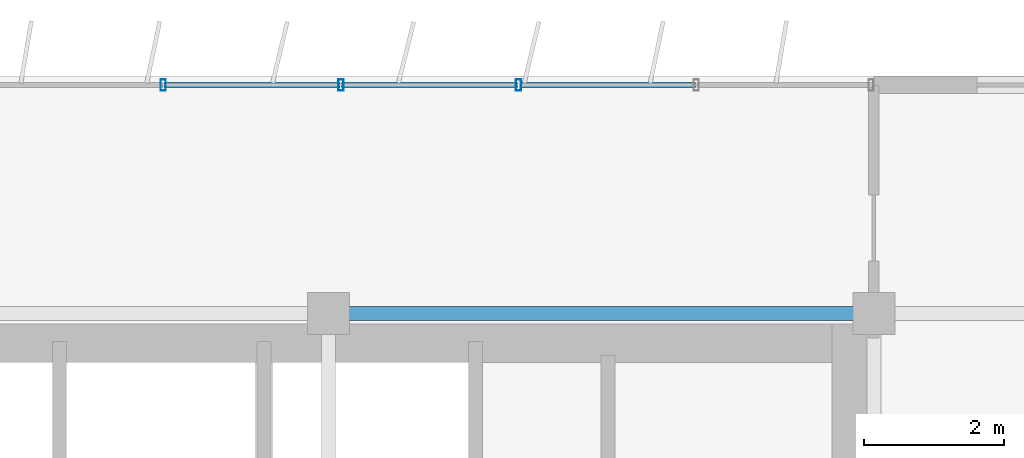
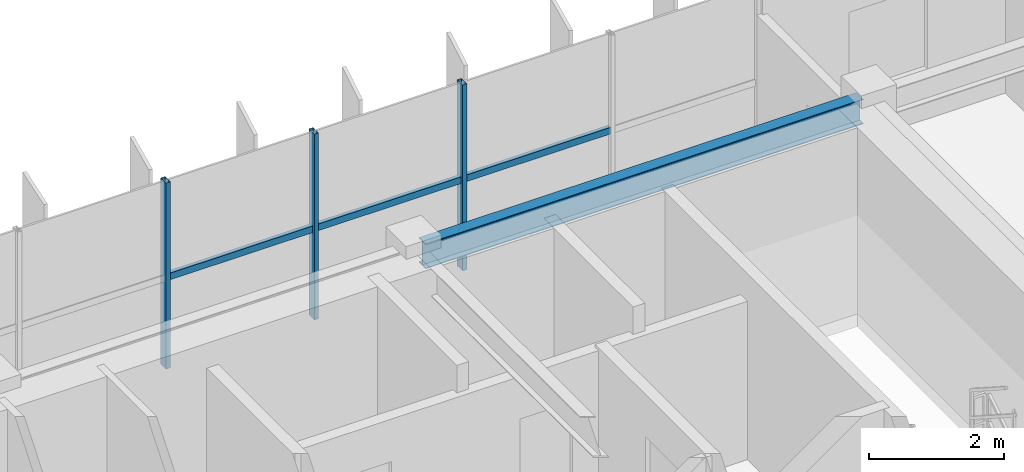
# One storey, part 12 of 22: 6 members, 1 beam, 1 element without a shape of its own.
"""IFC4 building model written with IfcOpenShell, lengths in metres."""

from ifc_helpers import new_model, si_unit, direction, frame, origin, origin_2d, place, context, subcontext, project, spatial, hollow_rectangle, i_section, extrude, source, transform, mapped, material, material_profile, profile_set, type_object, element, aggregate, save


model = new_model("IFC4")

# Units and contexts
model_context = context("Model", 3, precision=1e-05, world=origin(), true_north=direction((0.0, 1.0)))
body_context = subcontext(model_context, "Body", "Model", "MODEL_VIEW")
ifc_project = project(units=[si_unit("LENGTHUNIT", "METRE"), si_unit("AREAUNIT", "SQUARE_METRE"), si_unit("VOLUMEUNIT", "CUBIC_METRE"), si_unit("PLANEANGLEUNIT", "RADIAN"), si_unit("MASSUNIT", "GRAM", prefix="KILO")], contexts=[model_context])

# Site, building, storey
site_placement = place(None, origin())
site = spatial("IfcSite", under=ifc_project, at=site_placement, CompositionType="ELEMENT")
building_placement = place(site_placement, origin())
building = spatial("IfcBuilding", under=site, at=building_placement, Name="Trelvane Seafront Commons", CompositionType="ELEMENT")
storey_placement = place(building_placement, frame((0.0, 0.0, 281.10009765625)))
storey = spatial("IfcBuildingStorey", under=building, at=storey_placement, Name="L73", CompositionType="ELEMENT", Elevation=281.10009765625)

# Beam
ifc_material_1 = material(Name="Steel SM355 (S355)", Category="steel")
ifc_material_profile_1 = material_profile(ifc_material_1, i_section(OverallWidth=0.199951171875, OverallDepth=0.449951171875, WebThickness=0.009033203125, FlangeThickness=0.013916015625, at=origin_2d()), Name="H-450x200x9x14")
ifc_profile_set_1 = profile_set([ifc_material_profile_1], Name="Steel SM355 (S355)")
beam_type = type_object("IfcBeamType", Name="STR-SPD-H450", PredefinedType="SPANDREL", material=ifc_profile_set_1)
shared_shape_1 = source(origin(), body_context, "Body", "SweptSolid", [
    extrude(i_section(OverallWidth=0.199951171875, OverallDepth=0.449951171875, WebThickness=0.009033203125, FlangeThickness=0.013916015625, at=origin_2d()), origin(), (0.0, 0.0, 1.0), 7.5),
])
beam_placement = place(storey_placement, frame((51.14990234375, 45.10009765625, 3.14501953125), z_axis=(1.0, 0.0, 0.0), x_axis=(0.0, 1.0, 0.0)))
element("IfcBeam", 1, at=beam_placement, inside=storey, type_object=beam_type, Name="L73 Primary Girder G-27", PredefinedType="SPANDREL", context=body_context, shape_type="MappedRepresentation", body=[
    mapped(shared_shape_1, transform((0.0, 0.0, 0.0), x_axis=(1.0, 0.0, 0.0), y_axis=(0.0, 1.0, 0.0), z_axis=(0.0, 0.0, 1.0), scale=1.0)),
])

# Curtain wall, members
ifc_material_2 = material(Name="Anodised pale-silver aluminium", Category="aluminium")
curtain_wall_type = type_object("IfcCurtainWallType", Name="ARCH-CW5-UPTOWER", PredefinedType="NOTDEFINED", material=ifc_material_2)
curtain_wall_placement = place(storey_placement, origin())
curtain_wall = element("IfcCurtainWall", 2, at=curtain_wall_placement, inside=storey, type_object=curtain_wall_type, Name="CW-L73-0117", PredefinedType="NOTDEFINED")
ifc_material_profile_2 = material_profile(ifc_material_2, hollow_rectangle(XDim=0.070068359375, YDim=0.1201171875, WallThickness=0.00390625, at=origin_2d()), Name="TRAN-70x120x4")
ifc_profile_set_2 = profile_set([ifc_material_profile_2], Name="Anodised pale-silver aluminium")
member_type_1 = type_object("IfcMemberType", Name="ARCH-CW-TRAN-120", PredefinedType="USERDEFINED", material=ifc_profile_set_2)
shared_shape_2 = source(origin(), body_context, "Body", "SweptSolid", [
    extrude(hollow_rectangle(XDim=0.070068359375, YDim=0.1201171875, WallThickness=0.00390625, at=origin_2d()), origin(), (0.0, 0.0, 1.0), 2.51708984375),
])
member_1_placement = place(storey_placement, frame((51.1884765625, 48.3701171875, 1.617919921875), z_axis=(1.0, 0.0, 0.0), x_axis=(0.0, 1.0, 0.0)))
member_1 = element("IfcMember", 3, at=member_1_placement, type_object=member_type_1, Name="CW-L73-0117-T14", ObjectType="TRANSOM", PredefinedType="USERDEFINED", context=body_context, shape_type="MappedRepresentation", body=[
    mapped(shared_shape_2, transform((0.0, 0.0, 0.0), x_axis=(1.0, 0.0, 0.0), y_axis=(0.0, 1.0, 0.0), z_axis=(0.0, 0.0, 1.0), scale=1.0)),
])
shared_shape_3 = source(origin(), body_context, "Body", "SweptSolid", [
    extrude(hollow_rectangle(XDim=0.070068359375, YDim=0.1201171875, WallThickness=0.00390625, at=origin_2d()), origin(), (0.0, 0.0, 1.0), 2.517333984375),
])
member_2_placement = place(storey_placement, frame((48.647216796875, 48.3701171875, 1.617919921875), z_axis=(1.0, 0.0, 0.0), x_axis=(0.0, 1.0, 0.0)))
member_2 = element("IfcMember", 4, at=member_2_placement, type_object=member_type_1, Name="CW-L73-0117-T13", ObjectType="TRANSOM", PredefinedType="USERDEFINED", context=body_context, shape_type="MappedRepresentation", body=[
    mapped(shared_shape_3, transform((0.0, 0.0, 0.0), x_axis=(1.0, 0.0, 0.0), y_axis=(0.0, 1.0, 0.0), z_axis=(0.0, 0.0, 1.0), scale=1.0)),
])
member_3_placement = place(storey_placement, frame((53.7294921875, 48.3701171875, 1.617919921875), z_axis=(1.0, 0.0, 0.0), x_axis=(0.0, 1.0, 0.0)))
member_3 = element("IfcMember", 5, at=member_3_placement, type_object=member_type_1, Name="CW-L73-0117-T15", ObjectType="TRANSOM", PredefinedType="USERDEFINED", context=body_context, shape_type="MappedRepresentation", body=[
    mapped(shared_shape_3, transform((0.0, 0.0, 0.0), x_axis=(1.0, 0.0, 0.0), y_axis=(0.0, 1.0, 0.0), z_axis=(0.0, 0.0, 1.0), scale=1.0)),
])
ifc_material_profile_3 = material_profile(ifc_material_2, hollow_rectangle(XDim=0.074951171875, YDim=0.159912109375, WallThickness=0.00390625, at=origin_2d()), Name="MULL-75x160x4")
ifc_profile_set_3 = profile_set([ifc_material_profile_3], Name="Anodised pale-silver aluminium")
member_type_2 = type_object("IfcMemberType", Name="ARCH-CW-MULL-160", PredefinedType="MULLION", material=ifc_profile_set_3)
shared_shape_4 = source(origin(), body_context, "Body", "SweptSolid", [
    extrude(hollow_rectangle(XDim=0.074951171875, YDim=0.159912109375, WallThickness=0.00390625, at=origin_2d()), origin(), (0.0, 0.0, 1.0), 3.369873046875),
])
member_4_placement = place(storey_placement, frame((48.63525390625, 48.3701171875, 0.0), z_axis=(0.0, 0.0, 1.0), x_axis=(1.0, 0.0, 0.0)))
member_4 = element("IfcMember", 6, at=member_4_placement, type_object=member_type_2, Name="CW-L73-0117-M13", PredefinedType="MULLION", context=body_context, shape_type="MappedRepresentation", body=[
    mapped(shared_shape_4, transform((0.0, 0.0, 0.0), x_axis=(1.0, 0.0, 0.0), y_axis=(0.0, 1.0, 0.0), z_axis=(0.0, 0.0, 1.0), scale=1.0)),
])
member_5_placement = place(storey_placement, frame((51.176513671875, 48.3701171875, 0.0), z_axis=(0.0, 0.0, 1.0), x_axis=(1.0, 0.0, 0.0)))
member_5 = element("IfcMember", 7, at=member_5_placement, type_object=member_type_2, Name="CW-L73-0117-M14", PredefinedType="MULLION", context=body_context, shape_type="MappedRepresentation", body=[
    mapped(shared_shape_4, transform((0.0, 0.0, 0.0), x_axis=(1.0, 0.0, 0.0), y_axis=(0.0, 1.0, 0.0), z_axis=(0.0, 0.0, 1.0), scale=1.0)),
])
member_6_placement = place(storey_placement, frame((53.717529296875, 48.3701171875, 0.0), z_axis=(0.0, 0.0, 1.0), x_axis=(1.0, 0.0, 0.0)))
member_6 = element("IfcMember", 8, at=member_6_placement, type_object=member_type_2, Name="CW-L73-0117-M15", PredefinedType="MULLION", context=body_context, shape_type="MappedRepresentation", body=[
    mapped(shared_shape_4, transform((0.0, 0.0, 0.0), x_axis=(1.0, 0.0, 0.0), y_axis=(0.0, 1.0, 0.0), z_axis=(0.0, 0.0, 1.0), scale=1.0)),
])
aggregate(curtain_wall, [member_4, member_5, member_6, member_2, member_1, member_3])

save(model, "model.ifc")
